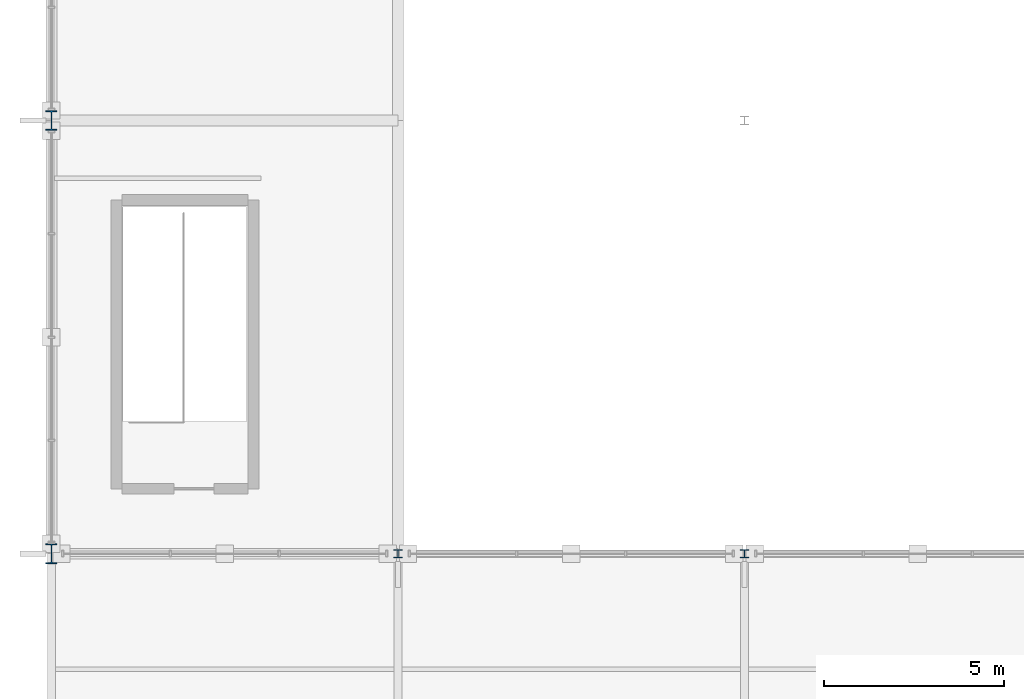
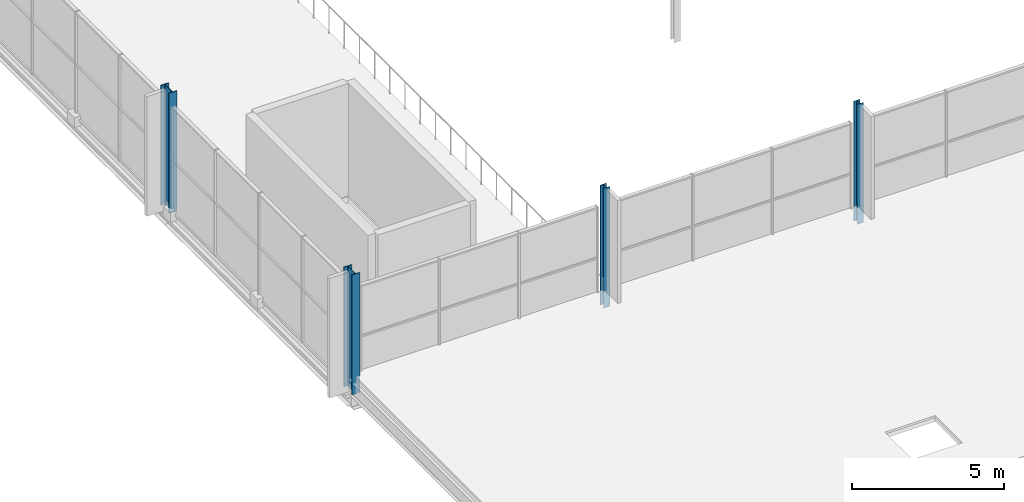
# One storey, part 1 of 159: 4 columns.
"""IFC4 building model written with IfcOpenShell, lengths in metres."""

from ifc_helpers import new_model, si_unit, direction, frame, origin, origin_2d, place, context, subcontext, project, spatial, i_section, extrude, material, material_profile, profile_set, type_object, element, save


model = new_model("IFC4")

# Units and contexts
model_context = context("Model", 3, precision=1e-05, world=origin(), true_north=direction((0.0, 1.0)))
body_context = subcontext(model_context, "Body", "Model", "MODEL_VIEW")
ifc_project = project(units=[si_unit("LENGTHUNIT", "METRE"), si_unit("AREAUNIT", "SQUARE_METRE"), si_unit("VOLUMEUNIT", "CUBIC_METRE"), si_unit("PLANEANGLEUNIT", "RADIAN"), si_unit("MASSUNIT", "GRAM", prefix="KILO")], contexts=[model_context])

# Site, building, storey
site_placement = place(None, origin())
site = spatial("IfcSite", under=ifc_project, at=site_placement, CompositionType="ELEMENT")
building_placement = place(site_placement, origin())
building = spatial("IfcBuilding", under=site, at=building_placement, Name="Merenkruunu Market Hall", CompositionType="ELEMENT")
storey_placement = place(building_placement, frame((0.0, 0.0, 5.39990234375)))
storey = spatial("IfcBuildingStorey", under=building, at=storey_placement, Name="L01", CompositionType="ELEMENT", Elevation=5.39990234375)

# Columns
ifc_material_1 = material(Name="Steel S355ML", Category="steel")
ifc_material_profile_1 = material_profile(ifc_material_1, i_section(OverallWidth=0.300048828125, OverallDepth=0.550048828125, WebThickness=0.014892578125, FlangeThickness=0.029052734375, FilletRadius=0.027099609375, at=origin_2d()), Name="HEB 550")
ifc_profile_set_1 = profile_set([ifc_material_profile_1], Name="Steel S355ML")
column_type_1 = type_object("IfcColumnType", Name="Structural Column C02", PredefinedType="COLUMN", material=ifc_profile_set_1)
for number, where, z_axis, x_axis, name in (
    (1, (0.0, 15.60009765625, 0.0), (0.0, 0.0, 1.0), (1.0, 0.0, 0.0), "COL-L01-A-03"),
    (2, (0.0, 27.60009765625, 0.0), (0.0, 0.0, 1.0), (1.0, 0.0, 0.0), "COL-L01-A-04"),
):
    element("IfcColumn", number, at=place(storey_placement, frame(where, z_axis=z_axis, x_axis=x_axis)), inside=storey, type_object=column_type_1, Name=name, PredefinedType="COLUMN", context=body_context, shape_type="SweptSolid", body=[
        extrude(i_section(OverallWidth=0.300048828125, OverallDepth=0.550048828125, WebThickness=0.014892578125, FlangeThickness=0.029052734375, FilletRadius=0.027099609375, at=origin_2d()), origin(), (0.0, 0.0, 1.0), 4.800048828125),
    ])
ifc_material_2 = material(Name="Steel S355J2", Category="steel")
ifc_material_profile_2 = material_profile(ifc_material_2, i_section(OverallWidth=0.239990234375, OverallDepth=0.22998046875, WebThickness=0.007568359375, FlangeThickness=0.011962890625, FilletRadius=0.02099609375, at=origin_2d()), Name="HEA 240")
ifc_profile_set_2 = profile_set([ifc_material_profile_2], Name="Steel S355J2")
column_type_2 = type_object("IfcColumnType", Name="Structural Column C10", PredefinedType="COLUMN", material=ifc_profile_set_2)
for number, where, z_axis, x_axis, name in (
    (3, (9.60009765625, 15.60009765625, 0.0), (0.0, 0.0, 1.0), (1.0, 0.0, 0.0), "COL-L01-B-03"),
    (4, (19.199951171875, 15.60009765625, 0.0), (0.0, 0.0, 1.0), (1.0, 0.0, 0.0), "COL-L01-C-03"),
):
    element("IfcColumn", number, at=place(storey_placement, frame(where, z_axis=z_axis, x_axis=x_axis)), inside=storey, type_object=column_type_2, Name=name, PredefinedType="COLUMN", context=body_context, shape_type="SweptSolid", body=[
        extrude(i_section(OverallWidth=0.239990234375, OverallDepth=0.22998046875, WebThickness=0.007568359375, FlangeThickness=0.011962890625, FilletRadius=0.02099609375, at=origin_2d()), origin(), (0.0, 0.0, 1.0), 4.800048828125),
    ])

save(model, "model.ifc")
